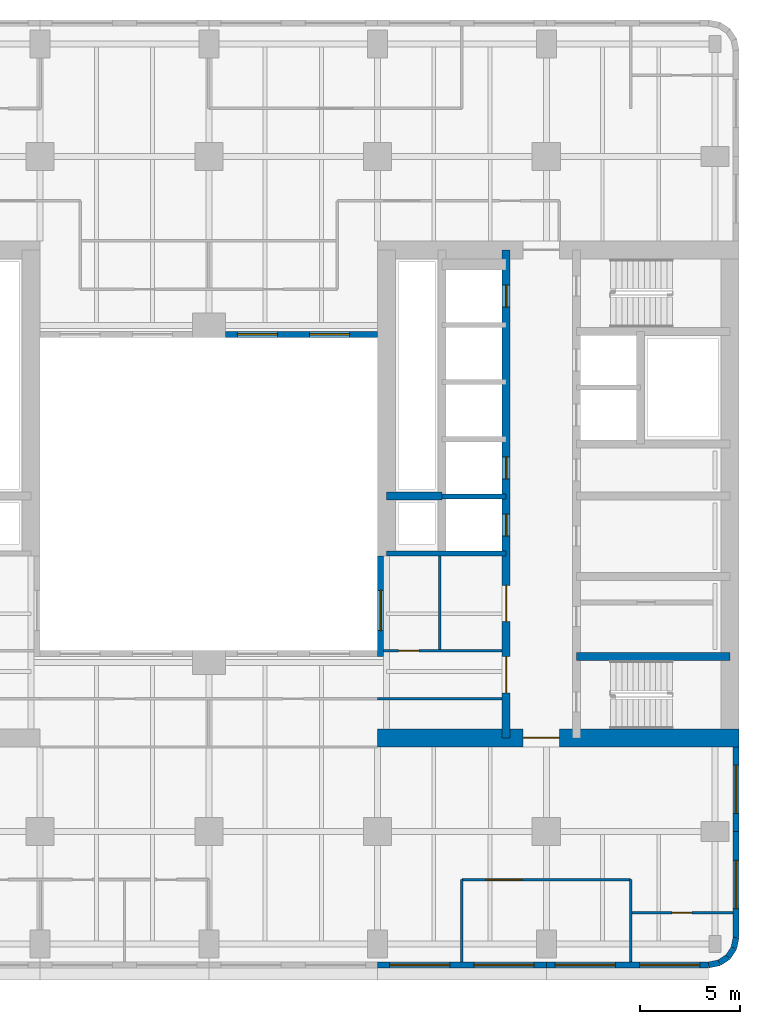
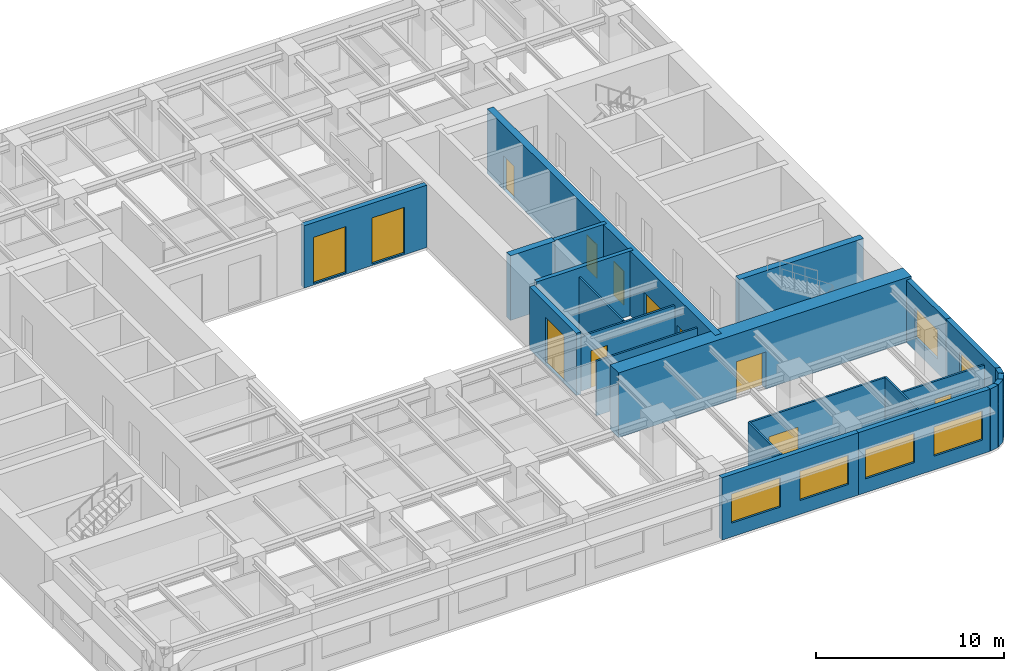
# One storey, part 5 of 11: 23 walls, 9 doors, 9 windows, 18 openings.
"""IFC4 building model written with IfcOpenShell, lengths in metres."""

from ifc_helpers import new_model, si_unit, direction, frame, frame_2d, origin, place, context, subcontext, project, spatial, rectangle, extrude, material, layer, layer_set, type_object, element, fill, save


model = new_model("IFC4")

# Units and contexts
model_context = context("Model", 3, precision=1e-05, world=origin(), true_north=direction((0.0, 1.0)))
body_context = subcontext(model_context, "Body", "Model", "MODEL_VIEW")
ifc_project = project(units=[si_unit("LENGTHUNIT", "METRE"), si_unit("AREAUNIT", "SQUARE_METRE"), si_unit("VOLUMEUNIT", "CUBIC_METRE"), si_unit("PLANEANGLEUNIT", "RADIAN"), si_unit("MASSUNIT", "GRAM", prefix="KILO")], contexts=[model_context])

# Site, building, storey
site_placement = place(None, origin())
site = spatial("IfcSite", under=ifc_project, at=site_placement, CompositionType="ELEMENT")
building_placement = place(site_placement, origin())
building = spatial("IfcBuilding", under=site, at=building_placement, Name="Claustro Exchange Tower", CompositionType="ELEMENT")
storey_placement = place(building_placement, frame((0.0, 0.0, 113.39990234375)))
storey = spatial("IfcBuildingStorey", under=building, at=storey_placement, Name="L25", CompositionType="ELEMENT", Elevation=113.39990234375)

# Wall, opening, door
ifc_material_1 = material(Name="Laminated glass in aluminium frame", Category="aluminium")
ifc_layer_1 = layer(ifc_material_1, 0.1201171875)
ifc_layer_set_1 = layer_set([ifc_layer_1], Name="Laminated glass in aluminium frame")
wall_type_1 = type_object("IfcWallType", Name="P2 120 glazed partition", PredefinedType="PARTITIONING", material=ifc_layer_set_1)
wall_1_placement = place(storey_placement, frame((33.89794921875, 17.39990234375, 0.0), z_axis=(0.0, 0.0, 1.0), x_axis=(1.0, 0.0, 0.0)))
wall_1 = element("IfcWall", 1, at=wall_1_placement, inside=storey, type_object=wall_type_1, Name="Partition P2 L25", PredefinedType="PARTITIONING", context=body_context, shape_type="SweptSolid", body=[
    extrude(rectangle(XDim=5.904052734375, YDim=0.1201171875, at=frame_2d((2.9521484375, 0.0))), origin(), (0.0, 0.0, 1.0), 3.550048828125),
])
opening_1_placement = place(wall_1_placement, frame((0.751953125, 0.0, 0.0)))
opening_1 = element("IfcOpeningElement", 2, at=opening_1_placement, cuts=wall_1, Name="Opening D7", PredefinedType="OPENING", context=body_context, shape_type="SweptSolid", body=[
    extrude(rectangle(XDim=1.0, YDim=2.39990234375, at=frame_2d((0.5, 1.199951171875))), frame((0.0, 0.070068359375, 0.0), z_axis=(0.0, -1.0, 0.0), x_axis=(1.0, 0.0, 0.0)), (0.0, 0.0, 1.0), 0.14013671875),
])
ifc_material_2 = material(Name="Glass door in aluminium frame", Category="aluminium")
door_type_1 = type_object("IfcDoorType", Name="D7 1000 x 2400 glazed door", OperationType="SINGLE_SWING_LEFT", PredefinedType="DOOR", material=ifc_material_2)
door_1_placement = place(opening_1_placement, origin())
door_1 = element("IfcDoor", 3, at=door_1_placement, inside=storey, type_object=door_type_1, Name="Door D7 L25", OperationType="SINGLE_SWING_RIGHT", OverallHeight=2.39990234375, OverallWidth=1.0, PredefinedType="DOOR", context=body_context, shape_type="SweptSolid", body=[
    extrude(rectangle(XDim=1.0, YDim=2.39990234375, at=frame_2d((0.5, 1.199951171875))), frame((0.0, 0.02490234375, 0.0), z_axis=(0.0, -1.0, 0.0), x_axis=(1.0, 0.0, 0.0)), (0.0, 0.0, 1.0), 0.050048828125),
])
fill(opening_1, door_1)

# Wall
wall_2_placement = place(storey_placement, frame((36.699951171875, 17.4580078125, 0.0), z_axis=(0.0, 0.0, 1.0), x_axis=(0.0, 1.0, 0.0)))
element("IfcWall", 4, at=wall_2_placement, inside=storey, type_object=wall_type_1, Name="Partition P2 L25", PredefinedType="PARTITIONING", context=body_context, shape_type="SweptSolid", body=[
    extrude(rectangle(XDim=4.64404296875, YDim=0.1201171875, at=frame_2d((2.322021484375, 0.0))), origin(), (0.0, 0.0, 1.0), 3.60009765625),
])

# Wall, opening, door
wall_3_placement = place(storey_placement, frame((46.258056640625, 4.35009765625, 0.0), z_axis=(0.0, 0.0, 1.0), x_axis=(1.0, 0.0, 0.0)))
wall_3 = element("IfcWall", 5, at=wall_3_placement, inside=storey, type_object=wall_type_1, Name="Partition P2 L25", PredefinedType="PARTITIONING", context=body_context, shape_type="SweptSolid", body=[
    extrude(rectangle(XDim=5.0439453125, YDim=0.1201171875, at=frame_2d((2.52197265625, 0.0))), origin(), (0.0, 0.0, 1.0), 3.56005859375),
])
opening_2_placement = place(wall_3_placement, frame((1.991943359375, 0.0, 0.0)))
opening_2 = element("IfcOpeningElement", 6, at=opening_2_placement, cuts=wall_3, Name="Opening D7", PredefinedType="OPENING", context=body_context, shape_type="SweptSolid", body=[
    extrude(rectangle(XDim=1.0, YDim=2.39990234375, at=frame_2d((0.5, 1.199951171875))), frame((0.0, 0.070068359375, 0.0), z_axis=(0.0, -1.0, 0.0), x_axis=(1.0, 0.0, 0.0)), (0.0, 0.0, 1.0), 0.14013671875),
])
door_2_placement = place(opening_2_placement, frame((1.0, 0.0, 0.0), z_axis=(0.0, 0.0, 1.0), x_axis=(-1.0, 0.0, 0.0)))
door_2 = element("IfcDoor", 7, at=door_2_placement, inside=storey, type_object=door_type_1, Name="Door D7 L25", OperationType="SINGLE_SWING_RIGHT", OverallHeight=2.39990234375, OverallWidth=1.0, PredefinedType="DOOR", context=body_context, shape_type="SweptSolid", body=[
    extrude(rectangle(XDim=1.0, YDim=2.39990234375, at=frame_2d((0.5, 1.199951171875))), frame((0.0, 0.02490234375, 0.0), z_axis=(0.0, -1.0, 0.0), x_axis=(1.0, 0.0, 0.0)), (0.0, 0.0, 1.0), 0.050048828125),
])
fill(opening_2, door_2)

wall_4_placement = place(storey_placement, frame((37.800048828125, 6.0, 0.0), z_axis=(0.0, 0.0, 1.0), x_axis=(1.0, 0.0, 0.0)))
wall_4 = element("IfcWall", 8, at=wall_4_placement, inside=storey, type_object=wall_type_1, Name="Partition P2 L25", PredefinedType="PARTITIONING", context=body_context, shape_type="SweptSolid", body=[
    extrude(rectangle(XDim=8.39990234375, YDim=0.1201171875, at=frame_2d((4.199951171875, 0.0))), origin(), (0.0, 0.0, 1.0), 3.550048828125),
])
opening_3_placement = place(wall_4_placement, frame((1.199951171875, 0.0, 0.0)))
opening_3 = element("IfcOpeningElement", 9, at=opening_3_placement, cuts=wall_4, Name="Opening D2", PredefinedType="OPENING", context=body_context, shape_type="SweptSolid", body=[
    extrude(rectangle(XDim=1.800048828125, YDim=2.199951171875, at=frame_2d((0.89990234375, 1.10009765625))), frame((0.0, 0.070068359375, 0.0), z_axis=(0.0, -1.0, 0.0), x_axis=(1.0, 0.0, 0.0)), (0.0, 0.0, 1.0), 0.14013671875),
])
ifc_material_3 = material(Name="Timber door, oak veneer", Category="wood")
door_type_2 = type_object("IfcDoorType", Name="D2 1800 x 2200 double door", OperationType="DOUBLE_DOOR_SINGLE_SWING", PredefinedType="DOOR", material=ifc_material_3)
door_3_placement = place(opening_3_placement, frame((1.800048828125, 0.0, 0.0), z_axis=(0.0, 0.0, 1.0), x_axis=(-1.0, 0.0, 0.0)))
door_3 = element("IfcDoor", 10, at=door_3_placement, inside=storey, type_object=door_type_2, Name="Double door D2 L25", OperationType="DOUBLE_DOOR_SINGLE_SWING", OverallHeight=2.199951171875, OverallWidth=1.800048828125, PredefinedType="DOOR", context=body_context, shape_type="SweptSolid", body=[
    extrude(rectangle(XDim=1.800048828125, YDim=2.199951171875, at=frame_2d((0.89990234375, 1.10009765625))), frame((0.0, 0.02490234375, 0.0), z_axis=(0.0, -1.0, 0.0), x_axis=(1.0, 0.0, 0.0)), (0.0, 0.0, 1.0), 0.050048828125),
])
fill(opening_3, door_3)

# Walls
for number, where, z_axis, x_axis, name in (
    (11, (37.800048828125, 1.89794921875, 0.0), (0.0, 0.0, 1.0), (0.0, 1.0, 0.0), "Partition P2 L25"),
    (12, (46.199951171875, 1.89794921875, 0.0), (0.0, 0.0, 1.0), (0.0, 1.0, 0.0), "Partition P2 L25"),
):
    element("IfcWall", number, at=place(storey_placement, frame(where, z_axis=z_axis, x_axis=x_axis)), inside=storey, type_object=wall_type_1, Name=name, PredefinedType="PARTITIONING", context=body_context, shape_type="SweptSolid", body=[
        extrude(rectangle(XDim=4.10205078125, YDim=0.1201171875, at=frame_2d((2.051025390625, 0.0))), origin(), (0.0, 0.0, 1.0), 3.56005859375),
    ])
wall_5_placement = place(storey_placement, frame((33.597900390625, 15.0, 0.0), z_axis=(0.0, 0.0, 1.0), x_axis=(1.0, 0.0, 0.0)))
element("IfcWall", 13, at=wall_5_placement, inside=storey, type_object=wall_type_1, Name="Partition P2 L25", PredefinedType="PARTITIONING", context=body_context, shape_type="SweptSolid", body=[
    extrude(rectangle(XDim=6.2041015625, YDim=0.1201171875, at=frame_2d((3.10205078125, 0.0))), origin(), (0.0, 0.0, 1.0), 3.550048828125),
])

# Wall, openings, windows
ifc_material_4 = material(Name="Concrete HA-40 (C40/50), precast, white cement, acid-etched", Category="concrete")
ifc_layer_2 = layer(ifc_material_4, 0.300048828125)
ifc_layer_set_2 = layer_set([ifc_layer_2], Name="Concrete HA-40 (C40/50), precast, white cement, acid-etched")
wall_type_2 = type_object("IfcWallType", Name="PC1 300 precast concrete pier panel", PredefinedType="SOLIDWALL", material=ifc_layer_set_2)
wall_6_placement = place(storey_placement, frame((50.085205078125, 1.75, 0.0), z_axis=(0.0, 0.0, 1.0), x_axis=(-1.0, 0.0, 0.0)))
wall_6 = element("IfcWall", 14, at=wall_6_placement, inside=storey, type_object=wall_type_2, Name="Precast pier panel PC1 L25", PredefinedType="SOLIDWALL", context=body_context, shape_type="SweptSolid", body=[
    extrude(rectangle(XDim=8.085205078125, YDim=0.300048828125, at=frame_2d((4.04248046875, 0.0))), origin(), (0.0, 0.0, 1.0), 4.050048828125),
])
opening_4_placement = place(wall_6_placement, frame((0.442626953125, 0.0, 0.89990234375)))
opening_4 = element("IfcOpeningElement", 15, at=opening_4_placement, cuts=wall_6, Name="Opening W1", PredefinedType="OPENING", context=body_context, shape_type="SweptSolid", body=[
    extrude(rectangle(XDim=3.0, YDim=1.89990234375, at=frame_2d((1.5, 0.949951171875))), frame((0.0, 0.159912109375, 0.0), z_axis=(0.0, -1.0, 0.0), x_axis=(1.0, 0.0, 0.0)), (0.0, 0.0, 1.0), 0.320068359375),
])
opening_5_placement = place(wall_6_placement, frame((4.642578125, 0.0, 0.89990234375)))
opening_5 = element("IfcOpeningElement", 16, at=opening_5_placement, cuts=wall_6, Name="Opening W1", PredefinedType="OPENING", context=body_context, shape_type="SweptSolid", body=[
    extrude(rectangle(XDim=3.0, YDim=1.89990234375, at=frame_2d((1.5, 0.949951171875))), frame((0.0, 0.159912109375, 0.0), z_axis=(0.0, -1.0, 0.0), x_axis=(1.0, 0.0, 0.0)), (0.0, 0.0, 1.0), 0.320068359375),
])
ifc_material_5 = material(Name="Aluminium frame, clear double glazing", Category="aluminium")
window_type_1 = type_object("IfcWindowType", Name="W1 3000 x 1900 window", PartitioningType="SINGLE_PANEL", PredefinedType="WINDOW", material=ifc_material_5)
window_1_placement = place(opening_4_placement, origin())
window_1 = element("IfcWindow", 17, at=window_1_placement, inside=storey, type_object=window_type_1, Name="Window W1 L25", OverallHeight=1.89990234375, OverallWidth=3.0, PartitioningType="SINGLE_PANEL", PredefinedType="WINDOW", context=body_context, shape_type="SweptSolid", body=[
    extrude(rectangle(XDim=3.0, YDim=1.89990234375, at=frame_2d((1.5, 0.949951171875))), frame((0.0, 0.030029296875, 0.0), z_axis=(0.0, -1.0, 0.0), x_axis=(1.0, 0.0, 0.0)), (0.0, 0.0, 1.0), 0.06005859375),
])
fill(opening_4, window_1)
window_2_placement = place(opening_5_placement, origin())
window_2 = element("IfcWindow", 18, at=window_2_placement, inside=storey, type_object=window_type_1, Name="Window W1 L25", OverallHeight=1.89990234375, OverallWidth=3.0, PartitioningType="SINGLE_PANEL", PredefinedType="WINDOW", context=body_context, shape_type="SweptSolid", body=[
    extrude(rectangle(XDim=3.0, YDim=1.89990234375, at=frame_2d((1.5, 0.949951171875))), frame((0.0, 0.030029296875, 0.0), z_axis=(0.0, -1.0, 0.0), x_axis=(1.0, 0.0, 0.0)), (0.0, 0.0, 1.0), 0.06005859375),
])
fill(opening_5, window_2)

wall_7_placement = place(storey_placement, frame((42.0, 1.75, 0.0), z_axis=(0.0, 0.0, 1.0), x_axis=(-1.0, 0.0, 0.0)))
wall_7 = element("IfcWall", 19, at=wall_7_placement, inside=storey, type_object=wall_type_2, Name="Precast pier panel PC1 L25", PredefinedType="SOLIDWALL", context=body_context, shape_type="SweptSolid", body=[
    extrude(rectangle(XDim=8.39990234375, YDim=0.300048828125, at=frame_2d((4.199951171875, 0.0))), origin(), (0.0, 0.0, 1.0), 4.050048828125),
])
opening_6_placement = place(wall_7_placement, frame((0.60009765625, 0.0, 0.89990234375)))
opening_6 = element("IfcOpeningElement", 20, at=opening_6_placement, cuts=wall_7, Name="Opening W1", PredefinedType="OPENING", context=body_context, shape_type="SweptSolid", body=[
    extrude(rectangle(XDim=3.0, YDim=1.89990234375, at=frame_2d((1.5, 0.949951171875))), frame((0.0, 0.159912109375, 0.0), z_axis=(0.0, -1.0, 0.0), x_axis=(1.0, 0.0, 0.0)), (0.0, 0.0, 1.0), 0.320068359375),
])
opening_7_placement = place(wall_7_placement, frame((4.800048828125, 0.0, 0.89990234375)))
opening_7 = element("IfcOpeningElement", 21, at=opening_7_placement, cuts=wall_7, Name="Opening W1", PredefinedType="OPENING", context=body_context, shape_type="SweptSolid", body=[
    extrude(rectangle(XDim=3.0, YDim=1.89990234375, at=frame_2d((1.5, 0.949951171875))), frame((0.0, 0.159912109375, 0.0), z_axis=(0.0, -1.0, 0.0), x_axis=(1.0, 0.0, 0.0)), (0.0, 0.0, 1.0), 0.320068359375),
])
window_3_placement = place(opening_6_placement, origin())
window_3 = element("IfcWindow", 22, at=window_3_placement, inside=storey, type_object=window_type_1, Name="Window W1 L25", OverallHeight=1.89990234375, OverallWidth=3.0, PartitioningType="SINGLE_PANEL", PredefinedType="WINDOW", context=body_context, shape_type="SweptSolid", body=[
    extrude(rectangle(XDim=3.0, YDim=1.89990234375, at=frame_2d((1.5, 0.949951171875))), frame((0.0, 0.030029296875, 0.0), z_axis=(0.0, -1.0, 0.0), x_axis=(1.0, 0.0, 0.0)), (0.0, 0.0, 1.0), 0.06005859375),
])
fill(opening_6, window_3)
window_4_placement = place(opening_7_placement, origin())
window_4 = element("IfcWindow", 23, at=window_4_placement, inside=storey, type_object=window_type_1, Name="Window W1 L25", OverallHeight=1.89990234375, OverallWidth=3.0, PartitioningType="SINGLE_PANEL", PredefinedType="WINDOW", context=body_context, shape_type="SweptSolid", body=[
    extrude(rectangle(XDim=3.0, YDim=1.89990234375, at=frame_2d((1.5, 0.949951171875))), frame((0.0, 0.030029296875, 0.0), z_axis=(0.0, -1.0, 0.0), x_axis=(1.0, 0.0, 0.0)), (0.0, 0.0, 1.0), 0.06005859375),
])
fill(opening_7, window_4)

# Wall, opening, window
wall_8_placement = place(storey_placement, frame((51.449951171875, 12.60009765625, 0.0), z_axis=(0.0, 0.0, 1.0), x_axis=(0.0, -1.0, 0.0)))
wall_8 = element("IfcWall", 24, at=wall_8_placement, inside=storey, type_object=wall_type_2, Name="Precast pier panel PC1 L25", PredefinedType="SOLIDWALL", context=body_context, shape_type="SweptSolid", body=[
    extrude(rectangle(XDim=4.2001953125, YDim=0.300048828125, at=frame_2d((2.10009765625, 0.0))), origin(), (0.0, 0.0, 1.0), 4.050048828125),
])
opening_8_placement = place(wall_8_placement, frame((0.89990234375, 0.0, 0.89990234375)))
opening_8 = element("IfcOpeningElement", 25, at=opening_8_placement, cuts=wall_8, Name="Opening W2", PredefinedType="OPENING", context=body_context, shape_type="SweptSolid", body=[
    extrude(rectangle(XDim=2.39990234375, YDim=1.89990234375, at=frame_2d((1.199951171875, 0.949951171875))), frame((0.0, 0.159912109375, 0.0), z_axis=(0.0, -1.0, 0.0), x_axis=(1.0, 0.0, 0.0)), (0.0, 0.0, 1.0), 0.320068359375),
])
ifc_material_6 = material(Name="Aluminium frame, clear double glazing", Category="aluminium")
window_type_2 = type_object("IfcWindowType", Name="W2 2400 x 1900 window", PartitioningType="SINGLE_PANEL", PredefinedType="WINDOW", material=ifc_material_6)
window_5_placement = place(opening_8_placement, origin())
window_5 = element("IfcWindow", 26, at=window_5_placement, inside=storey, type_object=window_type_2, Name="Window W2 L25", OverallHeight=1.89990234375, OverallWidth=2.39990234375, PartitioningType="SINGLE_PANEL", PredefinedType="WINDOW", context=body_context, shape_type="SweptSolid", body=[
    extrude(rectangle(XDim=2.39990234375, YDim=1.89990234375, at=frame_2d((1.199951171875, 0.949951171875))), frame((0.0, 0.030029296875, 0.0), z_axis=(0.0, -1.0, 0.0), x_axis=(1.0, 0.0, 0.0)), (0.0, 0.0, 1.0), 0.06005859375),
])
fill(opening_8, window_5)

wall_9_placement = place(storey_placement, frame((51.449951171875, 8.39990234375, 0.0), z_axis=(0.0, 0.0, 1.0), x_axis=(0.0, -1.0, 0.0)))
wall_9 = element("IfcWall", 27, at=wall_9_placement, inside=storey, type_object=wall_type_2, Name="Precast pier panel PC1 L25", PredefinedType="SOLIDWALL", context=body_context, shape_type="SweptSolid", body=[
    extrude(rectangle(XDim=5.28515625, YDim=0.300048828125, at=frame_2d((2.642578125, 0.0))), origin(), (0.0, 0.0, 1.0), 4.050048828125),
])
opening_9_placement = place(wall_9_placement, frame((1.442626953125, 0.0, 0.89990234375)))
opening_9 = element("IfcOpeningElement", 28, at=opening_9_placement, cuts=wall_9, Name="Opening W2", PredefinedType="OPENING", context=body_context, shape_type="SweptSolid", body=[
    extrude(rectangle(XDim=2.39990234375, YDim=1.89990234375, at=frame_2d((1.199951171875, 0.949951171875))), frame((0.0, 0.159912109375, 0.0), z_axis=(0.0, -1.0, 0.0), x_axis=(1.0, 0.0, 0.0)), (0.0, 0.0, 1.0), 0.320068359375),
])
window_6_placement = place(opening_9_placement, origin())
window_6 = element("IfcWindow", 29, at=window_6_placement, inside=storey, type_object=window_type_2, Name="Window W2 L25", OverallHeight=1.89990234375, OverallWidth=2.39990234375, PartitioningType="SINGLE_PANEL", PredefinedType="WINDOW", context=body_context, shape_type="SweptSolid", body=[
    extrude(rectangle(XDim=2.39990234375, YDim=1.89990234375, at=frame_2d((1.199951171875, 0.949951171875))), frame((0.0, 0.030029296875, 0.0), z_axis=(0.0, -1.0, 0.0), x_axis=(1.0, 0.0, 0.0)), (0.0, 0.0, 1.0), 0.06005859375),
])
fill(opening_9, window_6)

# Walls
wall_10_placement = place(storey_placement, frame((51.449951171875, 3.11474609375, 0.0), z_axis=(0.0, 0.0, 1.0), x_axis=(-0.195073962632, -0.980788534345, 0.0)))
element("IfcWall", 30, at=wall_10_placement, inside=storey, type_object=wall_type_2, Name="Precast pier panel PC1 L25", PredefinedType="SOLIDWALL", context=body_context, shape_type="SweptSolid", body=[
    extrude(rectangle(XDim=0.540771484375, YDim=0.300048828125, at=frame_2d((0.2705078125, 0.0))), origin(), (0.0, 0.0, 1.0), 4.050048828125),
])
for number, where, z_axis, x_axis, name in (
    (31, (51.344482421875, 2.58447265625, 0.0), (0.0, 0.0, 1.0), (-0.555557463938, -0.831478144188, 0.0), "Precast pier panel PC1 L25"),
    (32, (51.052490234375, 2.1474609375, 0.0), (0.0, 0.0, 1.0), (-0.831478144188, -0.555557463938, 0.0), "Precast pier panel PC1 L25"),
):
    element("IfcWall", number, at=place(storey_placement, frame(where, z_axis=z_axis, x_axis=x_axis)), inside=storey, type_object=wall_type_2, Name=name, PredefinedType="SOLIDWALL", context=body_context, shape_type="SweptSolid", body=[
        extrude(rectangle(XDim=0.525634765625, YDim=0.300048828125, at=frame_2d((0.2626953125, 0.0))), origin(), (0.0, 0.0, 1.0), 4.050048828125),
    ])
wall_11_placement = place(storey_placement, frame((50.615478515625, 1.85546875, 0.0), z_axis=(0.0, 0.0, 1.0), x_axis=(-0.980788534345, -0.195073962632, 0.0)))
element("IfcWall", 33, at=wall_11_placement, inside=storey, type_object=wall_type_2, Name="Precast pier panel PC1 L25", PredefinedType="SOLIDWALL", context=body_context, shape_type="SweptSolid", body=[
    extrude(rectangle(XDim=0.540771484375, YDim=0.300048828125, at=frame_2d((0.2705078125, 0.0))), origin(), (0.0, 0.0, 1.0), 4.050048828125),
])

# Wall, opening, window
wall_12_placement = place(storey_placement, frame((33.75, 17.10009765625, 0.0), z_axis=(0.0, 0.0, 1.0), x_axis=(0.0, 1.0, 0.0)))
wall_12 = element("IfcWall", 34, at=wall_12_placement, inside=storey, type_object=wall_type_2, Name="Precast pier panel PC1 L25", PredefinedType="SOLIDWALL", context=body_context, shape_type="SweptSolid", body=[
    extrude(rectangle(XDim=5.0, YDim=0.300048828125, at=frame_2d((2.5, 0.0))), origin(), (0.0, 0.0, 1.0), 4.050048828125),
])
opening_10_placement = place(wall_12_placement, frame((1.300048828125, 0.0, 0.10009765625)))
opening_10 = element("IfcOpeningElement", 35, at=opening_10_placement, cuts=wall_12, Name="Opening W-A", PredefinedType="OPENING", context=body_context, shape_type="SweptSolid", body=[
    extrude(rectangle(XDim=2.0, YDim=3.0, at=frame_2d((1.0, 1.5))), frame((0.0, 0.159912109375, 0.0), z_axis=(0.0, -1.0, 0.0), x_axis=(1.0, 0.0, 0.0)), (0.0, 0.0, 1.0), 0.320068359375),
])
ifc_material_7 = material(Name="Aluminium frame, clear double glazing", Category="aluminium")
window_type_3 = type_object("IfcWindowType", Name="W-A 2000 x 3000 arcade window", PartitioningType="SINGLE_PANEL", PredefinedType="WINDOW", material=ifc_material_7)
window_7_placement = place(opening_10_placement, origin())
window_7 = element("IfcWindow", 36, at=window_7_placement, inside=storey, type_object=window_type_3, Name="Window W-A L25", OverallHeight=3.0, OverallWidth=2.0, PartitioningType="SINGLE_PANEL", PredefinedType="WINDOW", context=body_context, shape_type="SweptSolid", body=[
    extrude(rectangle(XDim=2.0, YDim=3.0, at=frame_2d((1.0, 1.5))), frame((0.0, 0.030029296875, 0.0), z_axis=(0.0, -1.0, 0.0), x_axis=(1.0, 0.0, 0.0)), (0.0, 0.0, 1.0), 0.06005859375),
])
fill(opening_10, window_7)

# Wall, openings, windows
wall_13_placement = place(storey_placement, frame((26.02490234375, 33.14990234375, 0.0), z_axis=(0.0, 0.0, 1.0), x_axis=(1.0, 0.0, 0.0)))
wall_13 = element("IfcWall", 37, at=wall_13_placement, inside=storey, type_object=wall_type_2, Name="Precast pier panel PC1 L25", PredefinedType="SOLIDWALL", context=body_context, shape_type="SweptSolid", body=[
    extrude(rectangle(XDim=7.5751953125, YDim=0.300048828125, at=frame_2d((3.78759765625, 0.0))), origin(), (0.0, 0.0, 1.0), 4.050048828125),
])
opening_11_placement = place(wall_13_placement, frame((0.58740234375, 0.0, 0.10009765625)))
opening_11 = element("IfcOpeningElement", 38, at=opening_11_placement, cuts=wall_13, Name="Opening W-A", PredefinedType="OPENING", context=body_context, shape_type="SweptSolid", body=[
    extrude(rectangle(XDim=2.0, YDim=3.0, at=frame_2d((1.0, 1.5))), frame((0.0, 0.159912109375, 0.0), z_axis=(0.0, -1.0, 0.0), x_axis=(1.0, 0.0, 0.0)), (0.0, 0.0, 1.0), 0.320068359375),
])
opening_12_placement = place(wall_13_placement, frame((4.1875, 0.0, 0.10009765625)))
opening_12 = element("IfcOpeningElement", 39, at=opening_12_placement, cuts=wall_13, Name="Opening W-A", PredefinedType="OPENING", context=body_context, shape_type="SweptSolid", body=[
    extrude(rectangle(XDim=2.0, YDim=3.0, at=frame_2d((1.0, 1.5))), frame((0.0, 0.159912109375, 0.0), z_axis=(0.0, -1.0, 0.0), x_axis=(1.0, 0.0, 0.0)), (0.0, 0.0, 1.0), 0.320068359375),
])
window_8_placement = place(opening_11_placement, origin())
window_8 = element("IfcWindow", 40, at=window_8_placement, inside=storey, type_object=window_type_3, Name="Window W-A L25", OverallHeight=3.0, OverallWidth=2.0, PartitioningType="SINGLE_PANEL", PredefinedType="WINDOW", context=body_context, shape_type="SweptSolid", body=[
    extrude(rectangle(XDim=2.0, YDim=3.0, at=frame_2d((1.0, 1.5))), frame((0.0, 0.030029296875, 0.0), z_axis=(0.0, -1.0, 0.0), x_axis=(1.0, 0.0, 0.0)), (0.0, 0.0, 1.0), 0.06005859375),
])
fill(opening_11, window_8)
window_9_placement = place(opening_12_placement, origin())
window_9 = element("IfcWindow", 41, at=window_9_placement, inside=storey, type_object=window_type_3, Name="Window W-A L25", OverallHeight=3.0, OverallWidth=2.0, PartitioningType="SINGLE_PANEL", PredefinedType="WINDOW", context=body_context, shape_type="SweptSolid", body=[
    extrude(rectangle(XDim=2.0, YDim=3.0, at=frame_2d((1.0, 1.5))), frame((0.0, 0.030029296875, 0.0), z_axis=(0.0, -1.0, 0.0), x_axis=(1.0, 0.0, 0.0)), (0.0, 0.0, 1.0), 0.06005859375),
])
fill(opening_12, window_9)

# Wall, opening, door
ifc_material_8 = material(Name="Concrete HA-70 (C70/85)", Category="concrete")
ifc_layer_3 = layer(ifc_material_8, 0.89990234375)
ifc_layer_set_3 = layer_set([ifc_layer_3], Name="Concrete HA-70 (C70/85)")
wall_type_3 = type_object("IfcWallType", Name="SW1 900 core shear wall", PredefinedType="SHEAR", material=ifc_layer_set_3)
wall_14_placement = place(storey_placement, frame((33.60009765625, 13.050048828125, 0.0), z_axis=(0.0, 0.0, 1.0), x_axis=(1.0, 0.0, 0.0)))
wall_14 = element("IfcWall", 42, at=wall_14_placement, inside=storey, type_object=wall_type_3, Name="Core wall SW1 E core S face L25", PredefinedType="SHEAR", context=body_context, shape_type="SweptSolid", body=[
    extrude(rectangle(XDim=18.0, YDim=0.89990234375, at=frame_2d((9.0, 0.0))), origin(), (0.0, 0.0, 1.0), 4.2001953125),
])
opening_13_placement = place(wall_14_placement, frame((7.25, 0.0, 0.0)))
opening_13 = element("IfcOpeningElement", 43, at=opening_13_placement, cuts=wall_14, Name="Opening D3", PredefinedType="OPENING", context=body_context, shape_type="SweptSolid", body=[
    extrude(rectangle(XDim=1.800048828125, YDim=2.39990234375, at=frame_2d((0.89990234375, 1.199951171875))), frame((0.0, 0.4599609375, 0.0), z_axis=(0.0, -1.0, 0.0), x_axis=(1.0, 0.0, 0.0)), (0.0, 0.0, 1.0), 0.919921875),
])
ifc_material_9 = material(Name="Steel fire door, painted", Category="steel")
door_type_3 = type_object("IfcDoorType", Name="D3 1800 x 2400 fire-rated lobby double door", OperationType="DOUBLE_DOOR_SINGLE_SWING", PredefinedType="DOOR", material=ifc_material_9)
door_4_placement = place(opening_13_placement, frame((1.800048828125, 0.0, 0.0), z_axis=(0.0, 0.0, 1.0), x_axis=(-1.0, 0.0, 0.0)))
door_4 = element("IfcDoor", 44, at=door_4_placement, inside=storey, type_object=door_type_3, Name="Lift lobby door D3 L25", OperationType="DOUBLE_DOOR_SINGLE_SWING", OverallHeight=2.39990234375, OverallWidth=1.800048828125, PredefinedType="DOOR", context=body_context, shape_type="SweptSolid", body=[
    extrude(rectangle(XDim=1.800048828125, YDim=2.39990234375, at=frame_2d((0.89990234375, 1.199951171875))), frame((0.0, 0.02490234375, 0.0), z_axis=(0.0, -1.0, 0.0), x_axis=(1.0, 0.0, 0.0)), (0.0, 0.0, 1.0), 0.050048828125),
])
fill(opening_13, door_4)

# Wall, openings, doors
ifc_material_10 = material(Name="Concrete HA-50 (C50/60)", Category="concrete")
ifc_layer_4 = layer(ifc_material_10, 0.39990234375)
ifc_layer_set_4 = layer_set([ifc_layer_4], Name="Concrete HA-50 (C50/60)")
wall_type_4 = type_object("IfcWallType", Name="SW4 400 internal core wall", PredefinedType="SHEAR", material=ifc_layer_set_4)
wall_15_placement = place(storey_placement, frame((40.0, 13.050048828125, 0.0), z_axis=(0.0, 0.0, 1.0), x_axis=(0.0, 1.0, 0.0)))
wall_15 = element("IfcWall", 45, at=wall_15_placement, inside=storey, type_object=wall_type_4, Name="Internal core wall SW4 E core L25", PredefinedType="SHEAR", context=body_context, shape_type="SweptSolid", body=[
    extrude(rectangle(XDim=24.300048828125, YDim=0.39990234375, at=frame_2d((12.14990234375, 0.0))), origin(), (0.0, 0.0, 1.0), 4.2001953125),
])
opening_14_placement = place(wall_15_placement, frame((10.050048828125, 0.0, 0.0)))
opening_14 = element("IfcOpeningElement", 46, at=opening_14_placement, cuts=wall_15, Name="Opening LD", PredefinedType="OPENING", context=body_context, shape_type="SweptSolid", body=[
    extrude(rectangle(XDim=1.10009765625, YDim=2.199951171875, at=frame_2d((0.550048828125, 1.10009765625))), frame((0.0, 0.2099609375, 0.0), z_axis=(0.0, -1.0, 0.0), x_axis=(1.0, 0.0, 0.0)), (0.0, 0.0, 1.0), 0.419921875),
])
opening_15_placement = place(wall_15_placement, frame((12.89990234375, 0.0, 0.0)))
opening_15 = element("IfcOpeningElement", 47, at=opening_15_placement, cuts=wall_15, Name="Opening LD", PredefinedType="OPENING", context=body_context, shape_type="SweptSolid", body=[
    extrude(rectangle(XDim=1.10009765625, YDim=2.199951171875, at=frame_2d((0.550048828125, 1.10009765625))), frame((0.0, 0.2099609375, 0.0), z_axis=(0.0, -1.0, 0.0), x_axis=(1.0, 0.0, 0.0)), (0.0, 0.0, 1.0), 0.419921875),
])
opening_16_placement = place(wall_15_placement, frame((21.449951171875, 0.0, 0.0)))
opening_16 = element("IfcOpeningElement", 48, at=opening_16_placement, cuts=wall_15, Name="Opening LD", PredefinedType="OPENING", context=body_context, shape_type="SweptSolid", body=[
    extrude(rectangle(XDim=1.10009765625, YDim=2.199951171875, at=frame_2d((0.550048828125, 1.10009765625))), frame((0.0, 0.2099609375, 0.0), z_axis=(0.0, -1.0, 0.0), x_axis=(1.0, 0.0, 0.0)), (0.0, 0.0, 1.0), 0.419921875),
])
opening_17_placement = place(wall_15_placement, frame((2.25, 0.0, 0.0)))
opening_17 = element("IfcOpeningElement", 49, at=opening_17_placement, cuts=wall_15, Name="Opening D3", PredefinedType="OPENING", context=body_context, shape_type="SweptSolid", body=[
    extrude(rectangle(XDim=1.800048828125, YDim=2.39990234375, at=frame_2d((0.89990234375, 1.199951171875))), frame((0.0, 0.2099609375, 0.0), z_axis=(0.0, -1.0, 0.0), x_axis=(1.0, 0.0, 0.0)), (0.0, 0.0, 1.0), 0.419921875),
])
opening_18_placement = place(wall_15_placement, frame((5.800048828125, 0.0, 0.0)))
opening_18 = element("IfcOpeningElement", 50, at=opening_18_placement, cuts=wall_15, Name="Opening D3", PredefinedType="OPENING", context=body_context, shape_type="SweptSolid", body=[
    extrude(rectangle(XDim=1.800048828125, YDim=2.39990234375, at=frame_2d((0.89990234375, 1.199951171875))), frame((0.0, 0.2099609375, 0.0), z_axis=(0.0, -1.0, 0.0), x_axis=(1.0, 0.0, 0.0)), (0.0, 0.0, 1.0), 0.419921875),
])
door_5_placement = place(opening_17_placement, frame((1.800048828125, 0.0, 0.0), z_axis=(0.0, 0.0, 1.0), x_axis=(-1.0, 0.0, 0.0)))
door_5 = element("IfcDoor", 51, at=door_5_placement, inside=storey, type_object=door_type_3, Name="Core zone door D3 L25", OperationType="DOUBLE_DOOR_SINGLE_SWING", OverallHeight=2.39990234375, OverallWidth=1.800048828125, PredefinedType="DOOR", context=body_context, shape_type="SweptSolid", body=[
    extrude(rectangle(XDim=1.800048828125, YDim=2.39990234375, at=frame_2d((0.89990234375, 1.199951171875))), frame((0.0, 0.02490234375, 0.0), z_axis=(0.0, -1.0, 0.0), x_axis=(1.0, 0.0, 0.0)), (0.0, 0.0, 1.0), 0.050048828125),
])
fill(opening_17, door_5)
door_6_placement = place(opening_18_placement, origin())
door_6 = element("IfcDoor", 52, at=door_6_placement, inside=storey, type_object=door_type_3, Name="Core zone door D3 L25", OperationType="DOUBLE_DOOR_SINGLE_SWING", OverallHeight=2.39990234375, OverallWidth=1.800048828125, PredefinedType="DOOR", context=body_context, shape_type="SweptSolid", body=[
    extrude(rectangle(XDim=1.800048828125, YDim=2.39990234375, at=frame_2d((0.89990234375, 1.199951171875))), frame((0.0, 0.02490234375, 0.0), z_axis=(0.0, -1.0, 0.0), x_axis=(1.0, 0.0, 0.0)), (0.0, 0.0, 1.0), 0.050048828125),
])
fill(opening_18, door_6)
ifc_material_11 = material(Name="Stainless steel sliding door", Category="steel")
door_type_4 = type_object("IfcDoorType", Name="LD 1100 x 2200 lift landing door", OperationType="DOUBLE_DOOR_SLIDING", PredefinedType="DOOR", material=ifc_material_11)
door_7_placement = place(opening_14_placement, origin())
door_7 = element("IfcDoor", 53, at=door_7_placement, inside=storey, type_object=door_type_4, Name="Lift landing door LME1 LD L25", OperationType="DOUBLE_DOOR_SLIDING", OverallHeight=2.199951171875, OverallWidth=1.10009765625, PredefinedType="DOOR", context=body_context, shape_type="SweptSolid", body=[
    extrude(rectangle(XDim=1.10009765625, YDim=2.199951171875, at=frame_2d((0.550048828125, 1.10009765625))), frame((0.0, 0.02490234375, 0.0), z_axis=(0.0, -1.0, 0.0), x_axis=(1.0, 0.0, 0.0)), (0.0, 0.0, 1.0), 0.050048828125),
])
fill(opening_14, door_7)
door_8_placement = place(opening_15_placement, origin())
door_8 = element("IfcDoor", 54, at=door_8_placement, inside=storey, type_object=door_type_4, Name="Lift landing door LME2 LD L25", OperationType="DOUBLE_DOOR_SLIDING", OverallHeight=2.199951171875, OverallWidth=1.10009765625, PredefinedType="DOOR", context=body_context, shape_type="SweptSolid", body=[
    extrude(rectangle(XDim=1.10009765625, YDim=2.199951171875, at=frame_2d((0.550048828125, 1.10009765625))), frame((0.0, 0.02490234375, 0.0), z_axis=(0.0, -1.0, 0.0), x_axis=(1.0, 0.0, 0.0)), (0.0, 0.0, 1.0), 0.050048828125),
])
fill(opening_15, door_8)
door_9_placement = place(opening_16_placement, origin())
door_9 = element("IfcDoor", 55, at=door_9_placement, inside=storey, type_object=door_type_4, Name="Lift landing door LSE1 LD L25", OperationType="DOUBLE_DOOR_SLIDING", OverallHeight=2.199951171875, OverallWidth=1.10009765625, PredefinedType="DOOR", context=body_context, shape_type="SweptSolid", body=[
    extrude(rectangle(XDim=1.10009765625, YDim=2.199951171875, at=frame_2d((0.550048828125, 1.10009765625))), frame((0.0, 0.02490234375, 0.0), z_axis=(0.0, -1.0, 0.0), x_axis=(1.0, 0.0, 0.0)), (0.0, 0.0, 1.0), 0.050048828125),
])
fill(opening_16, door_9)

# Walls
wall_16_placement = place(storey_placement, frame((51.14990234375, 17.10009765625, 0.0), z_axis=(0.0, 0.0, 1.0), x_axis=(-1.0, 0.0, 0.0)))
element("IfcWall", 56, at=wall_16_placement, inside=storey, type_object=wall_type_4, Name="Internal core wall SW4 E core L25", PredefinedType="SHEAR", context=body_context, shape_type="SweptSolid", body=[
    extrude(rectangle(XDim=7.64990234375, YDim=0.39990234375, at=frame_2d((3.824951171875, 0.0))), origin(), (0.0, 0.0, 1.0), 4.2001953125),
])
wall_17_placement = place(storey_placement, frame((36.800048828125, 25.10009765625, 0.0), z_axis=(0.0, 0.0, 1.0), x_axis=(-1.0, 0.0, 0.0)))
element("IfcWall", 57, at=wall_17_placement, inside=storey, type_object=wall_type_4, Name="Internal core wall SW4 E core L25", PredefinedType="SHEAR", context=body_context, shape_type="SweptSolid", body=[
    extrude(rectangle(XDim=2.75, YDim=0.39990234375, at=frame_2d((1.375, 0.0))), origin(), (0.0, 0.0, 1.0), 4.2001953125),
])
ifc_material_12 = material(Name="Concrete HA-50 (C50/60)", Category="concrete")
ifc_layer_5 = layer(ifc_material_12, 0.25)
ifc_layer_set_5 = layer_set([ifc_layer_5], Name="Concrete HA-50 (C50/60)")
wall_type_5 = type_object("IfcWallType", Name="SW5 250 lift shaft divider wall", PredefinedType="SHEAR", material=ifc_layer_set_5)
wall_18_placement = place(storey_placement, frame((40.0, 22.22509765625, 0.0), z_axis=(0.0, 0.0, 1.0), x_axis=(-1.0, 0.0, 0.0)))
element("IfcWall", 58, at=wall_18_placement, inside=storey, type_object=wall_type_5, Name="Core step wall E core L25", PredefinedType="SHEAR", context=body_context, shape_type="SweptSolid", body=[
    extrude(rectangle(XDim=5.949951171875, YDim=0.25, at=frame_2d((2.97509765625, 0.0))), origin(), (0.0, 0.0, 1.0), 4.2001953125),
])
wall_19_placement = place(storey_placement, frame((40.0, 25.074951171875, 0.0), z_axis=(0.0, 0.0, 1.0), x_axis=(-1.0, 0.0, 0.0)))
element("IfcWall", 59, at=wall_19_placement, inside=storey, type_object=wall_type_5, Name="Lift shaft wall E core L25", PredefinedType="SHEAR", context=body_context, shape_type="SweptSolid", body=[
    extrude(rectangle(XDim=3.199951171875, YDim=0.25, at=frame_2d((1.60009765625, 0.0))), origin(), (0.0, 0.0, 1.0), 4.2001953125),
])

save(model, "model.ifc")
